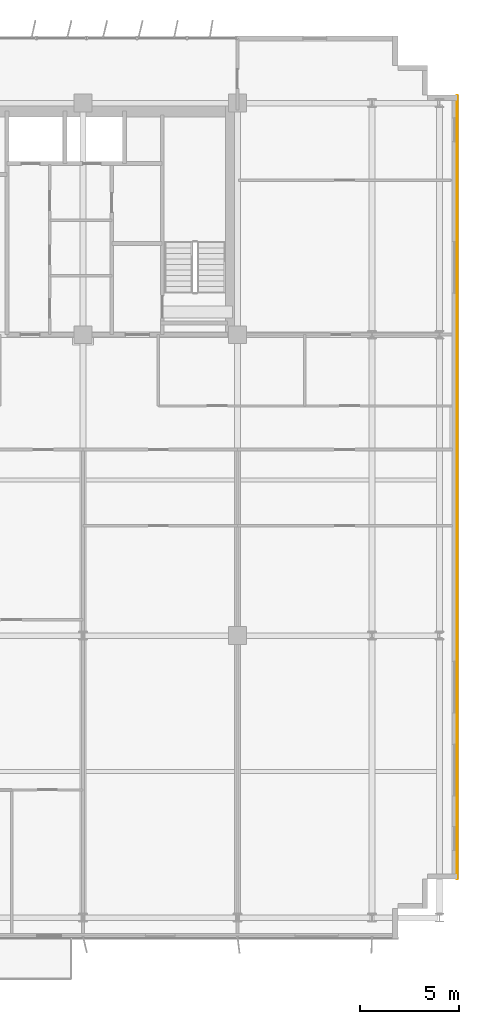
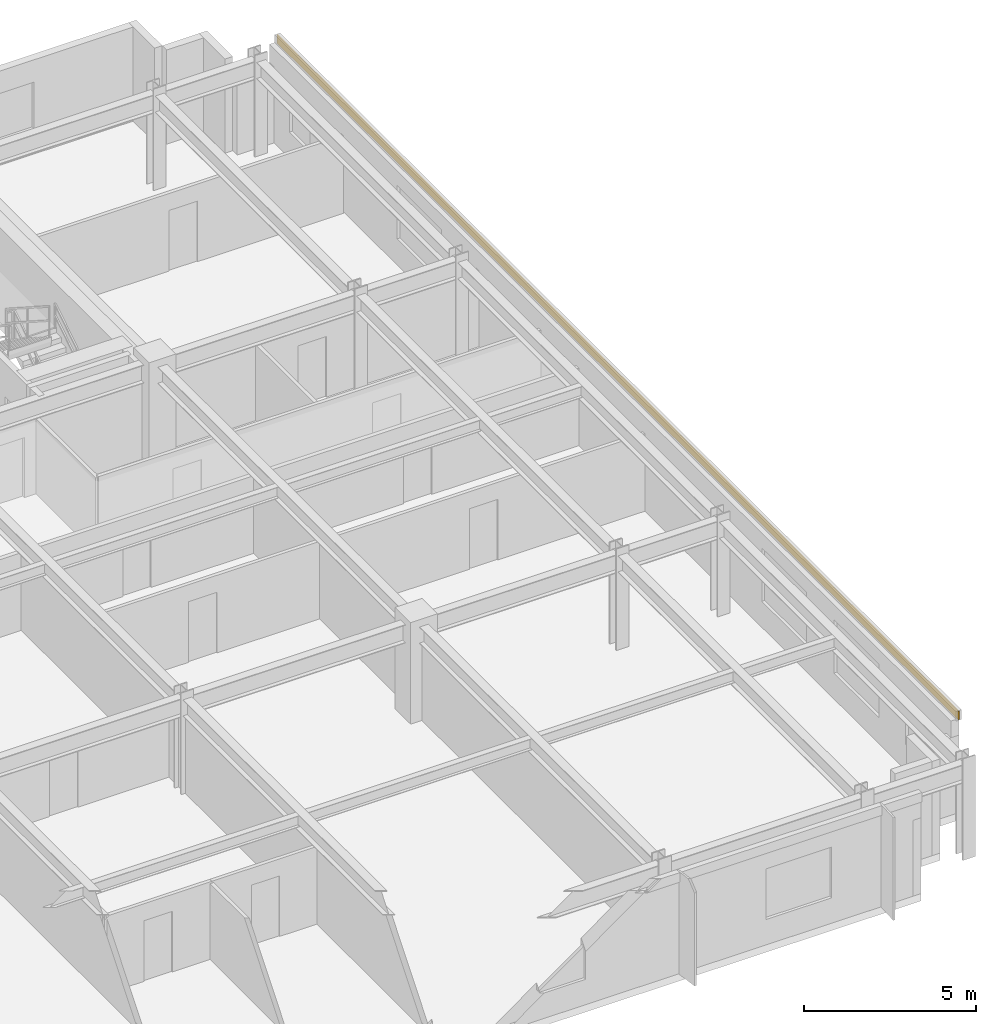
# One storey, part 23 of 23: 1 covering.
"""IFC4 building model written with IfcOpenShell, lengths in metres."""

from ifc_helpers import new_model, si_unit, direction, frame, origin, origin_2d, place, context, subcontext, project, spatial, rectangle, extrude, source, transform, mapped, material, layer, layer_set, type_object, element, save


model = new_model("IFC4")

# Units and contexts
model_context = context("Model", 3, precision=1e-05, world=origin(), true_north=direction((0.0, 1.0)))
body_context = subcontext(model_context, "Body", "Model", "MODEL_VIEW")
ifc_project = project(units=[si_unit("LENGTHUNIT", "METRE"), si_unit("AREAUNIT", "SQUARE_METRE"), si_unit("VOLUMEUNIT", "CUBIC_METRE"), si_unit("PLANEANGLEUNIT", "RADIAN"), si_unit("MASSUNIT", "GRAM", prefix="KILO")], contexts=[model_context])

# Site, building, storey
site_placement = place(None, origin())
site = spatial("IfcSite", under=ifc_project, at=site_placement, CompositionType="ELEMENT")
building_placement = place(site_placement, origin())
building = spatial("IfcBuilding", under=site, at=building_placement, Name="Trelvane Seafront Commons", CompositionType="ELEMENT")
storey_placement = place(building_placement, frame((0.0, 0.0, 63.10009765625)))
storey = spatial("IfcBuildingStorey", under=building, at=storey_placement, Name="L16", CompositionType="ELEMENT", Elevation=63.10009765625)

# Covering
ifc_material = material(Name="Anodised pale-silver aluminium", Category="aluminium")
ifc_layer = layer(ifc_material, 0.034912109375, Name="ARCH-COV-CLAD35")
ifc_layer_set = layer_set([ifc_layer], Name="Anodised pale-silver aluminium")
covering_type = type_object("IfcCoveringType", Name="ARCH-COV-CLAD35", PredefinedType="CLADDING", material=ifc_layer_set)
shared_shape = source(origin(), body_context, "Body", "SweptSolid", [
    extrude(rectangle(XDim=39.60009765625, YDim=0.034912109375, at=origin_2d()), origin(), (0.0, 0.0, 1.0), 0.300048828125),
])
covering_placement = place(storey_placement, frame((69.89990234375, 25.699951171875, 3.2998046875), z_axis=(0.0, 0.0, 1.0), x_axis=(0.0, -1.0, 0.0)))
element("IfcCovering", 1, at=covering_placement, inside=storey, type_object=covering_type, Name="CLD-L16-00073", PredefinedType="CLADDING", context=body_context, shape_type="MappedRepresentation", body=[
    mapped(shared_shape, transform((0.0, 0.0, 0.0), x_axis=(1.0, 0.0, 0.0), y_axis=(0.0, 1.0, 0.0), z_axis=(0.0, 0.0, 1.0), scale=1.0)),
])

save(model, "model.ifc")
